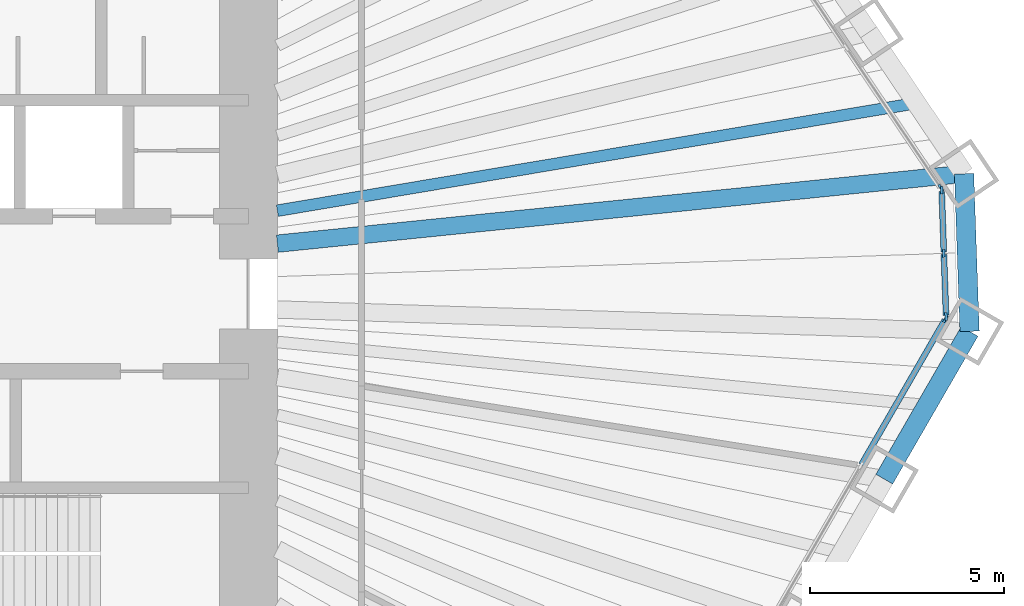
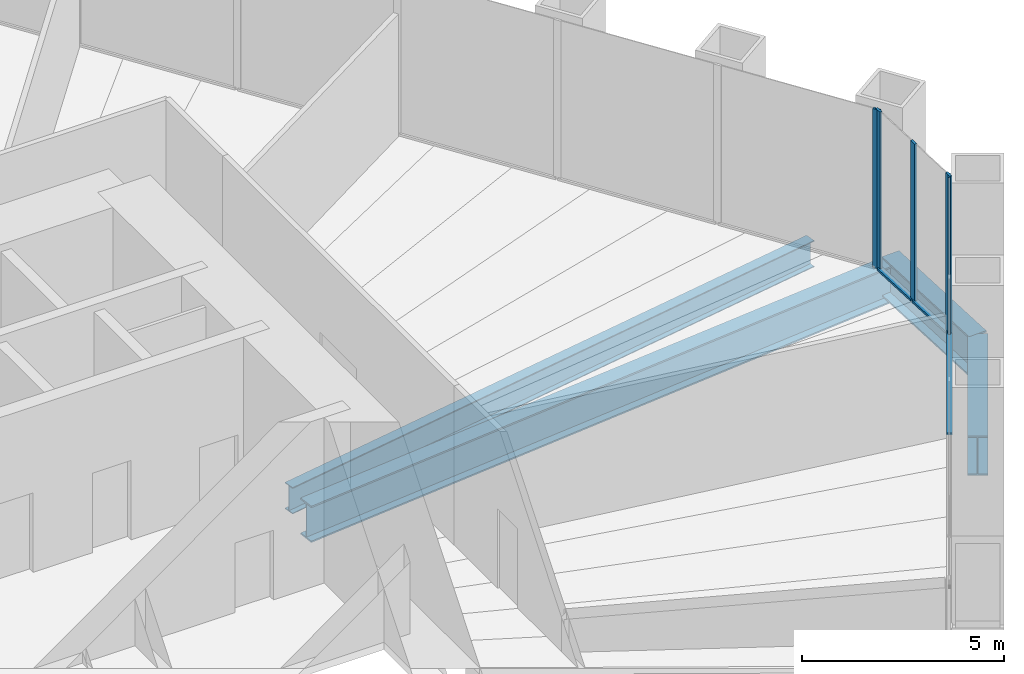
# One storey, part 5 of 14: 8 members, 4 beams, 3 elements without a shape of their own.
"""IFC4 building model written with IfcOpenShell, lengths in metres."""

from ifc_helpers import new_model, si_unit, direction, frame, origin, origin_2d, place, context, subcontext, project, spatial, rectangle, i_section, extrude, material, material_profile, profile_set, type_object, element, aggregate, save


model = new_model("IFC4")

# Units and contexts
model_context = context("Model", 3, precision=1e-05, world=origin(), true_north=direction((0.0, 1.0)))
body_context = subcontext(model_context, "Body", "Model", "MODEL_VIEW")
ifc_project = project(units=[si_unit("LENGTHUNIT", "METRE"), si_unit("AREAUNIT", "SQUARE_METRE"), si_unit("VOLUMEUNIT", "CUBIC_METRE"), si_unit("PLANEANGLEUNIT", "RADIAN"), si_unit("MASSUNIT", "GRAM", prefix="KILO")], contexts=[model_context])

# Site, building, storey
site_placement = place(None, origin())
site = spatial("IfcSite", under=ifc_project, at=site_placement, CompositionType="ELEMENT")
building_placement = place(site_placement, origin())
building = spatial("IfcBuilding", under=site, at=building_placement, Name="Qingtian Harvest Tower", CompositionType="ELEMENT")
storey_placement = place(building_placement, frame((0.0, 0.0, 52.0)))
storey = spatial("IfcBuildingStorey", under=building, at=storey_placement, Name="L10", CompositionType="ELEMENT", Elevation=52.0)

# Beams
ifc_material_1 = material(Name="Steel SM570MC", Category="steel")
ifc_material_profile_1 = material_profile(ifc_material_1, i_section(OverallWidth=0.449951171875, OverallDepth=1.10009765625, WebThickness=0.02197265625, FlangeThickness=0.044921875, at=origin_2d()), Name="H1100x450x22x45")
ifc_profile_set_1 = profile_set([ifc_material_profile_1], Name="Steel SM570MC")
beam_type_1 = type_object("IfcBeamType", Name="Corner floor beam FB8 H1100x450x22x45", PredefinedType="BEAM", material=ifc_profile_set_1)
beam_1_placement = place(storey_placement, frame((30.476318359375, 3.100830078125, -0.75), z_axis=(-0.994864371567, -0.101217005423, 0.0), x_axis=(0.101217005423, -0.994864371567, 0.0)))
element("IfcBeam", 1, at=beam_1_placement, inside=storey, type_object=beam_type_1, Name="Floor beam FB8 NE6", PredefinedType="BEAM", context=body_context, shape_type="SweptSolid", body=[
    extrude(i_section(OverallWidth=0.449951171875, OverallDepth=1.10009765625, WebThickness=0.02197265625, FlangeThickness=0.044921875, at=origin_2d()), origin(), (0.0, 0.0, 1.0), 17.81787109375),
])
ifc_material_2 = material(Name="Steel SN490B", Category="steel")
ifc_material_profile_2 = material_profile(ifc_material_2, i_section(OverallWidth=0.300048828125, OverallDepth=0.800048828125, WebThickness=0.013916015625, FlangeThickness=0.02587890625, at=origin_2d()), Name="H800x300x14x26")
ifc_profile_set_2 = profile_set([ifc_material_profile_2], Name="Steel SN490B")
beam_type_2 = type_object("IfcBeamType", Name="Floor joist J1 H800x300x14x26", PredefinedType="JOIST", material=ifc_profile_set_2)
beam_2_placement = place(storey_placement, frame((29.244873046875, 4.926513671875, -0.60009765625), z_axis=(-0.986107238024, -0.166109948877, 0.0), x_axis=(0.166109948877, -0.986107238024, 0.0)))
element("IfcBeam", 2, at=beam_2_placement, inside=storey, type_object=beam_type_2, Name="Floor joist J1 NE5", PredefinedType="JOIST", context=body_context, shape_type="SweptSolid", body=[
    extrude(i_section(OverallWidth=0.300048828125, OverallDepth=0.800048828125, WebThickness=0.013916015625, FlangeThickness=0.02587890625, at=origin_2d()), origin(), (0.0, 0.0, 1.0), 16.727294921875),
])

# Curtain wall, member
ifc_material_3 = material(Name="Bronze-anodised aluminium curtain wall", Category="aluminium")
curtain_wall_type = type_object("IfcCurtainWallType", Name="Curtain wall CW2 farm reception", PredefinedType="USERDEFINED", material=ifc_material_3)
curtain_wall_1_placement = place(storey_placement, origin())
curtain_wall_1 = element("IfcCurtainWall", 3, at=curtain_wall_1_placement, inside=storey, type_object=curtain_wall_type, Name="Curtain wall CW2 L10 NE0-5", ObjectType="RECESSED CURTAIN WALL", PredefinedType="USERDEFINED")
ifc_material_4 = material(Name="Bronze-anodised aluminium mullion", Category="aluminium")
ifc_material_profile_3 = material_profile(ifc_material_4, rectangle(XDim=0.06494140625, YDim=0.199951171875, at=origin_2d()), Name="AL 65x200")
ifc_profile_set_3 = profile_set([ifc_material_profile_3], Name="Bronze-anodised aluminium mullion")
member_type_1 = type_object("IfcMemberType", Name="Mullion CWM 65x200", PredefinedType="MULLION", material=ifc_profile_set_3)
member_1_placement = place(storey_placement, frame((29.8779296875, 2.736328125, 0.0), z_axis=(0.0, 0.0, 1.0), x_axis=(0.829037572555, 0.559192903471, 0.0)))
member_1 = element("IfcMember", 4, at=member_1_placement, type_object=member_type_1, Name="CW2 mullion 7", PredefinedType="MULLION", context=body_context, shape_type="SweptSolid", body=[
    extrude(rectangle(XDim=0.06494140625, YDim=0.199951171875, at=origin_2d()), origin(), (0.0, 0.0, 1.0), 4.800048828125),
])
aggregate(curtain_wall_1, [member_1])

# Curtain wall, members
curtain_wall_2_placement = place(storey_placement, origin())
curtain_wall_2 = element("IfcCurtainWall", 5, at=curtain_wall_2_placement, inside=storey, type_object=curtain_wall_type, Name="Curtain wall CW2 L10 NEC", ObjectType="RECESSED CURTAIN WALL", PredefinedType="USERDEFINED")
member_2_placement = place(storey_placement, frame((29.897216796875, 2.677001953125, 0.0), z_axis=(0.0, 0.0, 1.0), x_axis=(0.999390827019, 0.034899496703, 0.0)))
member_2 = element("IfcMember", 6, at=member_2_placement, type_object=member_type_1, Name="CW2 mullion 1", PredefinedType="MULLION", context=body_context, shape_type="SweptSolid", body=[
    extrude(rectangle(XDim=0.06494140625, YDim=0.199951171875, at=origin_2d()), origin(), (0.0, 0.0, 1.0), 4.800048828125),
])
member_3_placement = place(storey_placement, frame((29.9541015625, 1.046142578125, 0.0), z_axis=(0.0, 0.0, 1.0), x_axis=(0.999390827019, 0.034899496703, 0.0)))
member_3 = element("IfcMember", 7, at=member_3_placement, type_object=member_type_1, Name="CW2 mullion 2", PredefinedType="MULLION", context=body_context, shape_type="SweptSolid", body=[
    extrude(rectangle(XDim=0.06494140625, YDim=0.199951171875, at=origin_2d()), origin(), (0.0, 0.0, 1.0), 4.800048828125),
])
member_4_placement = place(storey_placement, frame((30.010986328125, -0.5849609375, 0.0), z_axis=(0.0, 0.0, 1.0), x_axis=(0.999390827019, 0.034899496703, 0.0)))
member_4 = element("IfcMember", 8, at=member_4_placement, type_object=member_type_1, Name="CW2 mullion 3", PredefinedType="MULLION", context=body_context, shape_type="SweptSolid", body=[
    extrude(rectangle(XDim=0.06494140625, YDim=0.199951171875, at=origin_2d()), origin(), (0.0, 0.0, 1.0), 4.800048828125),
])

# Curtain wall, member
curtain_wall_3_placement = place(storey_placement, origin())
curtain_wall_3 = element("IfcCurtainWall", 9, at=curtain_wall_3_placement, inside=storey, type_object=curtain_wall_type, Name="Curtain wall CW2 L10 SE0-5", ObjectType="RECESSED CURTAIN WALL", PredefinedType="USERDEFINED")
member_5_placement = place(storey_placement, frame((29.995849609375, -0.6455078125, 0.0), z_axis=(0.0, 0.0, 1.0), x_axis=(0.866025403784, -0.5, 0.0)))
member_5 = element("IfcMember", 10, at=member_5_placement, type_object=member_type_1, Name="CW2 mullion 1", PredefinedType="MULLION", context=body_context, shape_type="SweptSolid", body=[
    extrude(rectangle(XDim=0.06494140625, YDim=0.199951171875, at=origin_2d()), origin(), (0.0, 0.0, 1.0), 4.800048828125),
])

# Beams
ifc_material_5 = material(Name="Steel SM570MC", Category="steel")
ifc_material_profile_4 = material_profile(ifc_material_5, i_section(OverallWidth=0.5, OverallDepth=1.199951171875, WebThickness=0.02490234375, FlangeThickness=0.050048828125, at=origin_2d()), Name="H1200x500x25x50")
ifc_profile_set_4 = profile_set([ifc_material_profile_4], Name="Steel SM570MC")
beam_type_3 = type_object("IfcBeamType", Name="Spandrel beam SB1 H1200x500x25x50", PredefinedType="SPANDREL", material=ifc_profile_set_4)
beam_3_placement = place(storey_placement, frame((30.476318359375, 3.100830078125, -0.60009765625), z_axis=(0.03490639867, -0.999390585973, 0.0), x_axis=(0.999390585973, 0.03490639867, 0.0)))
element("IfcBeam", 11, at=beam_3_placement, inside=storey, type_object=beam_type_3, Name="Spandrel SB1 NEC", PredefinedType="SPANDREL", context=body_context, shape_type="SweptSolid", body=[
    extrude(i_section(OverallWidth=0.5, OverallDepth=1.199951171875, WebThickness=0.02490234375, FlangeThickness=0.050048828125, at=origin_2d()), origin(), (0.0, 0.0, 1.0), 4.070556640625),
])
beam_4_placement = place(storey_placement, frame((30.618408203125, -0.96728515625, -0.60009765625), z_axis=(-0.50001992892, -0.866013897511, 0.0), x_axis=(0.866013897511, -0.50001992892, 0.0)))
element("IfcBeam", 12, at=beam_4_placement, inside=storey, type_object=beam_type_3, Name="Spandrel SB1 SE0", PredefinedType="SPANDREL", context=body_context, shape_type="SweptSolid", body=[
    extrude(i_section(OverallWidth=0.5, OverallDepth=1.199951171875, WebThickness=0.02490234375, FlangeThickness=0.050048828125, at=origin_2d()), origin(), (0.0, 0.0, 1.0), 4.404541015625),
])

# Member
ifc_material_6 = material(Name="Bronze-anodised aluminium transom", Category="aluminium")
ifc_material_profile_5 = material_profile(ifc_material_6, rectangle(XDim=0.14990234375, YDim=0.06494140625, at=origin_2d()), Name="AL 65x150")
ifc_profile_set_5 = profile_set([ifc_material_profile_5], Name="Bronze-anodised aluminium transom")
member_type_2 = type_object("IfcMemberType", Name="Transom CWT 65x150", PredefinedType="USERDEFINED", material=ifc_profile_set_5)
member_6_placement = place(storey_placement, frame((29.898193359375, 2.64453125, 0.032470703125), z_axis=(0.034902326647, -0.999390728191, 0.0), x_axis=(0.999390728191, 0.034902326647, 0.0)))
member_6 = element("IfcMember", 13, at=member_6_placement, type_object=member_type_2, Name="CW2 transom 1.1", ObjectType="TRANSOM", PredefinedType="USERDEFINED", context=body_context, shape_type="SweptSolid", body=[
    extrude(rectangle(XDim=0.14990234375, YDim=0.06494140625, at=origin_2d()), origin(), (0.0, 0.0, 1.0), 1.56689453125),
])

member_7_placement = place(storey_placement, frame((29.955322265625, 1.013427734375, 0.032470703125), z_axis=(0.034902326647, -0.999390728191, 0.0), x_axis=(0.999390728191, 0.034902326647, 0.0)))
member_7 = element("IfcMember", 14, at=member_7_placement, type_object=member_type_2, Name="CW2 transom 2.1", ObjectType="TRANSOM", PredefinedType="USERDEFINED", context=body_context, shape_type="SweptSolid", body=[
    extrude(rectangle(XDim=0.14990234375, YDim=0.06494140625, at=origin_2d()), origin(), (0.0, 0.0, 1.0), 1.56689453125),
])

aggregate(curtain_wall_2, [member_2, member_3, member_4, member_6, member_7])

member_8_placement = place(storey_placement, frame((29.979736328125, -0.673583984375, 0.032470703125), z_axis=(-0.499985768833, -0.866033619997, 0.0), x_axis=(0.866033619997, -0.499985768833, 0.0)))
member_8 = element("IfcMember", 15, at=member_8_placement, type_object=member_type_2, Name="CW2 transom 1.1", ObjectType="TRANSOM", PredefinedType="USERDEFINED", context=body_context, shape_type="SweptSolid", body=[
    extrude(rectangle(XDim=0.14990234375, YDim=0.06494140625, at=origin_2d()), origin(), (0.0, 0.0, 1.0), 4.307373046875),
])

aggregate(curtain_wall_3, [member_5, member_8])

save(model, "model.ifc")
